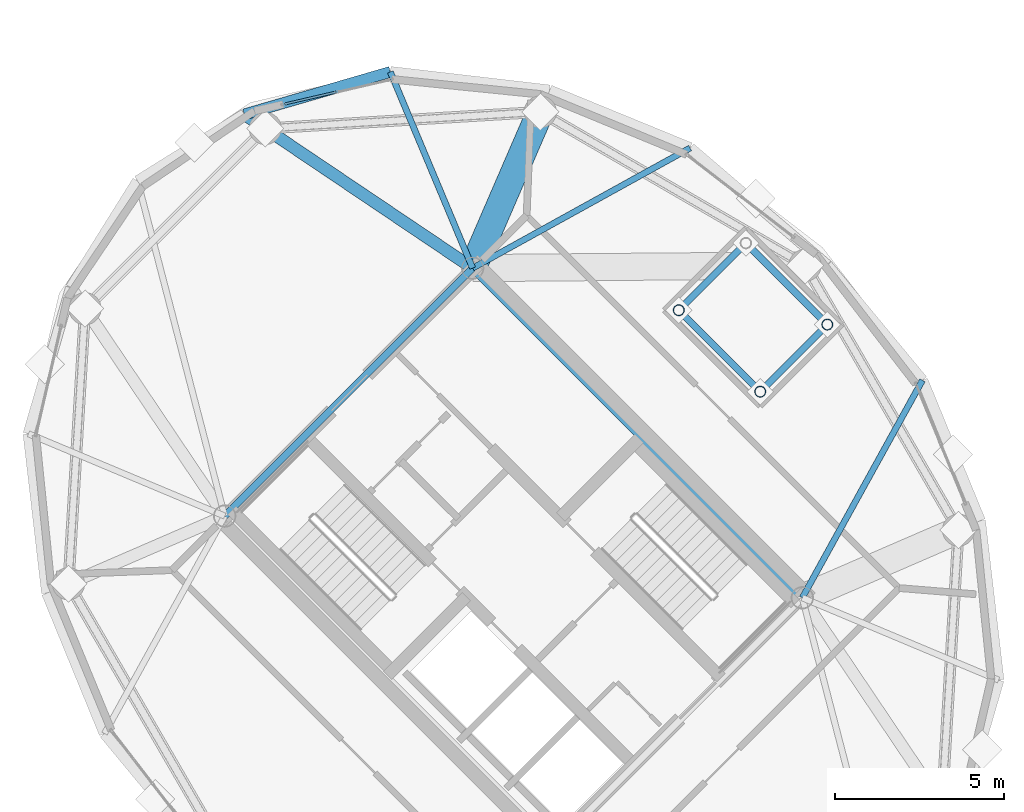
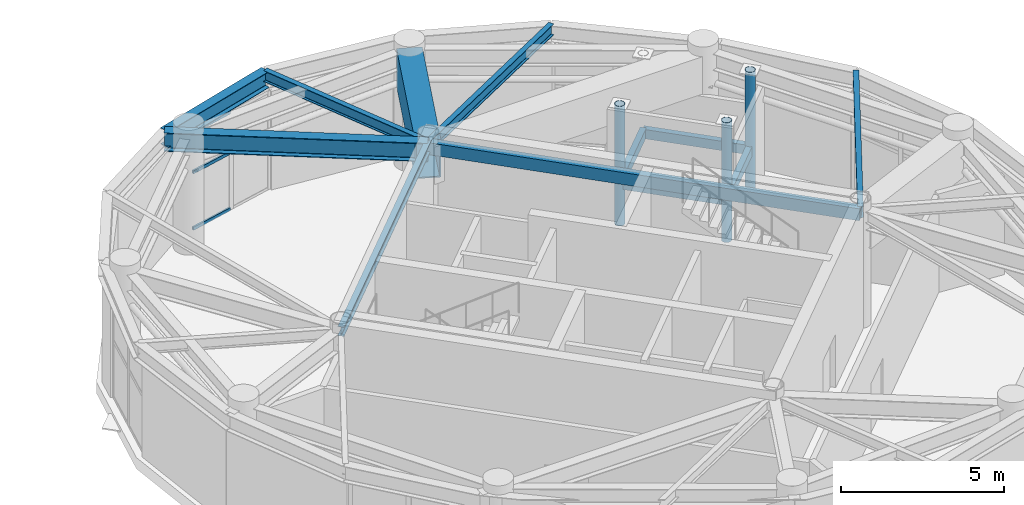
# One storey, part 16 of 28: 12 beams, 6 members, 1 element without a shape of its own.
"""IFC4 building model written with IfcOpenShell, lengths in metres."""

from ifc_helpers import new_model, si_unit, direction, frame, origin, origin_2d, place, context, subcontext, project, spatial, hollow_rectangle, hollow_circle, i_section, extrude, material, layer, layer_set, material_profile, profile_set, type_object, element, aggregate, save


model = new_model("IFC4")

# Units and contexts
model_context = context("Model", 3, precision=1e-05, world=origin(), true_north=direction((0.0, 1.0)))
body_context = subcontext(model_context, "Body", "Model", "MODEL_VIEW")
ifc_project = project(units=[si_unit("LENGTHUNIT", "METRE"), si_unit("AREAUNIT", "SQUARE_METRE"), si_unit("VOLUMEUNIT", "CUBIC_METRE"), si_unit("PLANEANGLEUNIT", "RADIAN"), si_unit("MASSUNIT", "GRAM", prefix="KILO")], contexts=[model_context])

# Site, building, storey
site_placement = place(None, origin())
site = spatial("IfcSite", under=ifc_project, at=site_placement, CompositionType="ELEMENT")
building_placement = place(site_placement, origin())
building = spatial("IfcBuilding", under=site, at=building_placement, Name="Cununo Teusaquillo Station Towers", CompositionType="ELEMENT")
storey_placement = place(building_placement, frame((0.0, 0.0, 235.64990234375)))
storey = spatial("IfcBuildingStorey", under=building, at=storey_placement, Name="L75", CompositionType="ELEMENT", Elevation=235.64990234375)

# Beams
ifc_material_1 = material(Name="Steel EN 10025-2 S355J2", Category="steel")
ifc_material_profile_1 = material_profile(ifc_material_1, hollow_rectangle(XDim=0.25, YDim=0.449951171875, WallThickness=0.01611328125, at=origin_2d()), Name="RHS 450x250x16")
ifc_profile_set_1 = profile_set([ifc_material_profile_1], Name="Steel EN 10025-2 S355J2")
beam_type_1 = type_object("IfcBeamType", Name="BM-COUP-1", PredefinedType="USERDEFINED", material=ifc_profile_set_1)
beam_1_placement = place(storey_placement, frame((66.024169921875, 23.29443359375, 4.114990234375), z_axis=(-0.707106781187, 0.707106781187, 0.0), x_axis=(-0.707106781187, -0.707106781187, 0.0)))
element("IfcBeam", 1, at=beam_1_placement, inside=storey, type_object=beam_type_1, Name="L75 Tower B Core Beam 2", ObjectType="COUPLING BEAM", PredefinedType="USERDEFINED", context=body_context, shape_type="SweptSolid", body=[
    extrude(hollow_rectangle(XDim=0.25, YDim=0.449951171875, WallThickness=0.01611328125, at=origin_2d()), origin(), (0.0, 0.0, 1.0), 13.760009765625),
])
ifc_material_2 = material(Name="Steel ASTM A572 Grade 50", Category="steel")
ifc_material_profile_2 = material_profile(ifc_material_2, i_section(OverallWidth=0.180908203125, OverallDepth=0.4169921875, WebThickness=0.010986328125, FlangeThickness=0.018310546875, FilletRadius=0.012939453125, at=origin_2d()), Name="W16X57")
ifc_profile_set_2 = profile_set([ifc_material_profile_2], Name="Steel ASTM A572 Grade 50")
beam_type_2 = type_object("IfcBeamType", Name="BM-JOIST-1", PredefinedType="JOIST", material=ifc_profile_set_2)
beam_2_placement = place(storey_placement, frame((56.29443359375, 33.024169921875, 4.131591796875), z_axis=(0.8753153358, 0.483552544108, 0.0), x_axis=(-0.483552544108, 0.8753153358, 0.0)))
element("IfcBeam", 2, at=beam_2_placement, inside=storey, type_object=beam_type_2, Name="L75 Tower B Radial Spandrel Joist V01", PredefinedType="JOIST", context=body_context, shape_type="SweptSolid", body=[
    extrude(i_section(OverallWidth=0.180908203125, OverallDepth=0.4169921875, WebThickness=0.010986328125, FlangeThickness=0.018310546875, FilletRadius=0.012939453125, at=origin_2d()), origin(), (0.0, 0.0, 1.0), 7.3330078125),
])
beam_3_placement = place(storey_placement, frame((56.29443359375, 33.024169921875, 4.131591796875), z_axis=(-0.386786389381, 0.922169338565, 0.0), x_axis=(-0.922169338565, -0.386786389381, 0.0)))
element("IfcBeam", 3, at=beam_3_placement, inside=storey, type_object=beam_type_2, Name="L75 Tower B Radial Spandrel Joist V03", PredefinedType="JOIST", context=body_context, shape_type="SweptSolid", body=[
    extrude(i_section(OverallWidth=0.180908203125, OverallDepth=0.4169921875, WebThickness=0.010986328125, FlangeThickness=0.018310546875, FilletRadius=0.012939453125, at=origin_2d()), origin(), (0.0, 0.0, 1.0), 6.281005859375),
])
beam_4_placement = place(storey_placement, frame((66.024169921875, 23.29443359375, 4.131591796875), z_axis=(0.483552544108, 0.8753153358, 0.0), x_axis=(-0.8753153358, 0.483552544108, 0.0)))
element("IfcBeam", 4, at=beam_4_placement, inside=storey, type_object=beam_type_2, Name="L75 Tower B Radial Spandrel Joist V19", PredefinedType="JOIST", context=body_context, shape_type="SweptSolid", body=[
    extrude(i_section(OverallWidth=0.180908203125, OverallDepth=0.4169921875, WebThickness=0.010986328125, FlangeThickness=0.018310546875, FilletRadius=0.012939453125, at=origin_2d()), origin(), (0.0, 0.0, 1.0), 7.3330078125),
])
ifc_material_3 = material(Name="Steel ASTM A572 Grade 50", Category="steel")
ifc_material_profile_3 = material_profile(ifc_material_3, i_section(OverallWidth=0.2041015625, OverallDepth=0.35009765625, WebThickness=0.008544921875, FlangeThickness=0.01513671875, FilletRadius=0.011962890625, at=origin_2d()), Name="W14X48")
ifc_profile_set_3 = profile_set([ifc_material_profile_3], Name="Steel ASTM A572 Grade 50")
beam_type_3 = type_object("IfcBeamType", Name="BM-LINTEL-1", PredefinedType="LINTEL", material=ifc_profile_set_3)
beam_5_placement = place(storey_placement, frame((48.975830078125, 25.70556640625, 4.1650390625), z_axis=(0.707106781187, 0.707106781187, 0.0), x_axis=(-0.707106781187, 0.707106781187, 0.0)))
element("IfcBeam", 5, at=beam_5_placement, inside=storey, type_object=beam_type_3, Name="L75 Tower B Core Beam 4", PredefinedType="LINTEL", context=body_context, shape_type="SweptSolid", body=[
    extrude(i_section(OverallWidth=0.2041015625, OverallDepth=0.35009765625, WebThickness=0.008544921875, FlangeThickness=0.01513671875, FilletRadius=0.011962890625, at=origin_2d()), origin(), (0.0, 0.0, 1.0), 10.35009765625),
])
ifc_material_4 = material(Name="Steel ASTM A572 Grade 50", Category="steel")
ifc_material_profile_4 = material_profile(ifc_material_4, i_section(OverallWidth=0.35498046875, OverallDepth=0.696044921875, WebThickness=0.015380859375, FlangeThickness=0.02490234375, FilletRadius=0.01806640625, at=origin_2d()), Name="W27X146")
ifc_profile_set_4 = profile_set([ifc_material_profile_4], Name="Steel ASTM A572 Grade 50")
beam_type_4 = type_object("IfcBeamType", Name="BM-PLNT-G1", PredefinedType="BEAM", material=ifc_profile_set_4)
beam_6_placement = place(storey_placement, frame((56.29443359375, 33.024169921875, 3.9921875), z_axis=(-0.829456817529, 0.558570844079, 0.0), x_axis=(-0.558570844079, -0.829456817529, 0.0)))
element("IfcBeam", 6, at=beam_6_placement, inside=storey, type_object=beam_type_4, Name="L75 Tower B Continuous Overhanging Radial Girder 03", PredefinedType="BEAM", context=body_context, shape_type="SweptSolid", body=[
    extrude(i_section(OverallWidth=0.35498046875, OverallDepth=0.696044921875, WebThickness=0.015380859375, FlangeThickness=0.02490234375, FilletRadius=0.01806640625, at=origin_2d()), origin(), (0.0, 0.0, 1.0), 8.1240234375),
])
ifc_material_5 = material(Name="Steel ASTM A572 Grade 50", Category="steel")
ifc_material_profile_5 = material_profile(ifc_material_5, i_section(OverallWidth=0.324951171875, OverallDepth=0.615966796875, WebThickness=0.013916015625, FlangeThickness=0.021484375, FilletRadius=0.01611328125, at=origin_2d()), Name="W24X117")
ifc_profile_set_5 = profile_set([ifc_material_profile_5], Name="Steel ASTM A572 Grade 50")
beam_type_5 = type_object("IfcBeamType", Name="BM-PLNT-G2", PredefinedType="BEAM", material=ifc_profile_set_5)
beam_7_placement = place(storey_placement, frame((53.864990234375, 38.81640625, 4.031982421875), z_axis=(-0.96014487762, -0.279502797802, 0.0), x_axis=(0.279502797802, -0.96014487762, 0.0)))
element("IfcBeam", 7, at=beam_7_placement, inside=storey, type_object=beam_type_5, Name="L75 Tower B Spandrel Ring Beam 04", PredefinedType="BEAM", context=body_context, shape_type="SweptSolid", body=[
    extrude(i_section(OverallWidth=0.324951171875, OverallDepth=0.615966796875, WebThickness=0.013916015625, FlangeThickness=0.021484375, FilletRadius=0.01611328125, at=origin_2d()), origin(), (0.0, 0.0, 1.0), 4.488037109375),
])
ifc_material_6 = material(Name="Steel EN 10025-2 S355J2", Category="steel")
ifc_material_profile_6 = material_profile(ifc_material_6, hollow_rectangle(XDim=0.199951171875, YDim=0.35009765625, WallThickness=0.013916015625, at=origin_2d()), Name="RHS 350x200x14")
ifc_profile_set_6 = profile_set([ifc_material_profile_6], Name="Steel EN 10025-2 S355J2")
beam_type_6 = type_object("IfcBeamType", Name="BM-TMD-FRM", PredefinedType="BEAM", material=ifc_profile_set_6)
beam_8_placement = place(storey_placement, frame((64.783203125, 29.37890625, 1.375), z_axis=(0.707106781187, 0.707106781187, 0.0), x_axis=(-0.707106781187, 0.707106781187, 0.0)))
element("IfcBeam", 8, at=beam_8_placement, inside=storey, type_object=beam_type_6, Name="L75 Tower B Tuned Mass Damper Suspension Ring Beam 1", PredefinedType="BEAM", context=body_context, shape_type="SweptSolid", body=[
    extrude(hollow_rectangle(XDim=0.199951171875, YDim=0.35009765625, WallThickness=0.013916015625, at=origin_2d()), origin(), (0.0, 0.0, 1.0), 2.800048828125),
])
beam_9_placement = place(storey_placement, frame((66.76318359375, 31.35888671875, 1.375), z_axis=(-0.707106781187, 0.707106781187, 0.0), x_axis=(-0.707106781187, -0.707106781187, 0.0)))
element("IfcBeam", 9, at=beam_9_placement, inside=storey, type_object=beam_type_6, Name="L75 Tower B Tuned Mass Damper Suspension Ring Beam 2", PredefinedType="BEAM", context=body_context, shape_type="SweptSolid", body=[
    extrude(hollow_rectangle(XDim=0.199951171875, YDim=0.35009765625, WallThickness=0.013916015625, at=origin_2d()), origin(), (0.0, 0.0, 1.0), 3.400146484375),
])
beam_10_placement = place(storey_placement, frame((64.35888671875, 33.76318359375, 1.375), z_axis=(-0.707106781187, -0.707106781187, 0.0), x_axis=(0.707106781187, -0.707106781187, 0.0)))
element("IfcBeam", 10, at=beam_10_placement, inside=storey, type_object=beam_type_6, Name="L75 Tower B Tuned Mass Damper Suspension Ring Beam 3", PredefinedType="BEAM", context=body_context, shape_type="SweptSolid", body=[
    extrude(hollow_rectangle(XDim=0.199951171875, YDim=0.35009765625, WallThickness=0.013916015625, at=origin_2d()), origin(), (0.0, 0.0, 1.0), 2.800048828125),
])
beam_11_placement = place(storey_placement, frame((62.37890625, 31.783203125, 1.375), z_axis=(0.707106781187, -0.707106781187, 0.0), x_axis=(0.707106781187, 0.707106781187, 0.0)))
element("IfcBeam", 11, at=beam_11_placement, inside=storey, type_object=beam_type_6, Name="L75 Tower B Tuned Mass Damper Suspension Ring Beam 4", PredefinedType="BEAM", context=body_context, shape_type="SweptSolid", body=[
    extrude(hollow_rectangle(XDim=0.199951171875, YDim=0.35009765625, WallThickness=0.013916015625, at=origin_2d()), origin(), (0.0, 0.0, 1.0), 3.400146484375),
])
ifc_material_7 = material(Name="Steel ASTM A572 Grade 50", Category="steel")
ifc_material_profile_7 = material_profile(ifc_material_7, hollow_rectangle(XDim=0.800048828125, YDim=1.39990234375, WallThickness=0.044921875, at=origin_2d()), Name="BOX 1400x800x45")
ifc_profile_set_7 = profile_set([ifc_material_profile_7], Name="Steel ASTM A572 Grade 50")
beam_type_7 = type_object("IfcBeamType", Name="BM-XFER-SEC", PredefinedType="USERDEFINED", material=ifc_profile_set_7)
beam_12_placement = place(storey_placement, frame((56.29443359375, 33.024169921875, 3.6201171875), z_axis=(0.397346986387, 0.917668443616, 0.0), x_axis=(-0.917668443616, 0.397346986387, 0.0)))
element("IfcBeam", 12, at=beam_12_placement, inside=storey, type_object=beam_type_7, Name="L75 Tower B TMD Overhead Suspension Girder 1", ObjectType="TRANSFER GIRDER", PredefinedType="USERDEFINED", context=body_context, shape_type="SweptSolid", body=[
    extrude(hollow_rectangle(XDim=0.800048828125, YDim=1.39990234375, WallThickness=0.044921875, at=origin_2d()), origin(), (0.0, 0.0, 1.0), 5.02490234375),
])

# Curtain wall, members
ifc_material_8 = material(Name="Ceramic-fritted dark low-E double glazing", Category="glass")
ifc_layer = layer(ifc_material_8, 0.179931640625)
ifc_layer_set = layer_set([ifc_layer], Name="Ceramic-fritted dark low-E double glazing")
curtain_wall_type = type_object("IfcCurtainWallType", Name="CW-SYS-08", PredefinedType="USERDEFINED", material=ifc_layer_set)
curtain_wall_placement = place(storey_placement, origin())
curtain_wall = element("IfcCurtainWall", 13, at=curtain_wall_placement, inside=storey, type_object=curtain_wall_type, Name="L75 Tower B Crown Drum Glazed Screen C03", ObjectType="FRITTED GLAZING", PredefinedType="USERDEFINED")
ifc_material_9 = material(Name="Anodised dark bronze aluminium EN AW-6063-T6", Category="aluminium")
ifc_material_profile_8 = material_profile(ifc_material_9, hollow_rectangle(XDim=0.06494140625, YDim=0.1201171875, WallThickness=0.00390625, at=origin_2d()), Name="CW-TRAN-65x120")
ifc_profile_set_8 = profile_set([ifc_material_profile_8], Name="Anodised dark bronze aluminium EN AW-6063-T6")
member_type_1 = type_object("IfcMemberType", Name="CWT-120", PredefinedType="USERDEFINED", material=ifc_profile_set_8)
member_1_placement = place(storey_placement, frame((50.74755859375, 37.86962890625, 0.03271484375), z_axis=(0.974247893937, 0.225479580359, 0.0), x_axis=(-0.225479580359, 0.974247893937, 0.0)))
member_1 = element("IfcMember", 14, at=member_1_placement, type_object=member_type_1, Name="CW-08 transom 1.1", ObjectType="TRANSOM", PredefinedType="USERDEFINED", context=body_context, shape_type="SweptSolid", body=[
    extrude(hollow_rectangle(XDim=0.06494140625, YDim=0.1201171875, WallThickness=0.00390625, at=origin_2d()), origin(), (0.0, 0.0, 1.0), 1.552734375),
])
member_2_placement = place(storey_placement, frame((50.74755859375, 37.86962890625, 2.150146484375), z_axis=(0.974247893937, 0.225479580359, 0.0), x_axis=(-0.225479580359, 0.974247893937, 0.0)))
member_2 = element("IfcMember", 15, at=member_2_placement, type_object=member_type_1, Name="CW-08 transom 1.2", ObjectType="TRANSOM", PredefinedType="USERDEFINED", context=body_context, shape_type="SweptSolid", body=[
    extrude(hollow_rectangle(XDim=0.06494140625, YDim=0.1201171875, WallThickness=0.00390625, at=origin_2d()), origin(), (0.0, 0.0, 1.0), 1.552734375),
])
member_3_placement = place(storey_placement, frame((50.74755859375, 37.86962890625, 3.66357421875), z_axis=(0.974247893937, 0.225479580359, 0.0), x_axis=(-0.225479580359, 0.974247893937, 0.0)))
member_3 = element("IfcMember", 16, at=member_3_placement, type_object=member_type_1, Name="CW-08 transom 1.3", ObjectType="TRANSOM", PredefinedType="USERDEFINED", context=body_context, shape_type="SweptSolid", body=[
    extrude(hollow_rectangle(XDim=0.06494140625, YDim=0.1201171875, WallThickness=0.00390625, at=origin_2d()), origin(), (0.0, 0.0, 1.0), 1.552734375),
])
aggregate(curtain_wall, [member_1, member_2, member_3])

# Members
ifc_material_10 = material(Name="Steel EN 10025-2 S355J2", Category="steel")
ifc_material_profile_9 = material_profile(ifc_material_10, hollow_circle(Radius=0.162109375, WallThickness=0.011962890625, at=origin_2d()), Name="CHS 324x12")
ifc_profile_set_9 = profile_set([ifc_material_profile_9], Name="Steel EN 10025-2 S355J2")
member_type_2 = type_object("IfcMemberType", Name="MBR-TMD-POST", PredefinedType="POST", material=ifc_profile_set_9)
for number, where, z_axis, x_axis, name in (
    (17, (64.783203125, 29.37890625, -0.14990234375), (0.0, 0.0, 1.0), (1.0, 0.0, 0.0), "L75 Tower B Tuned Mass Damper Frame Post 1"),
    (18, (66.76318359375, 31.35888671875, -0.14990234375), (0.0, 0.0, 1.0), (1.0, 0.0, 0.0), "L75 Tower B Tuned Mass Damper Frame Post 2"),
    (19, (62.37890625, 31.783203125, -0.14990234375), (0.0, 0.0, 1.0), (1.0, 0.0, 0.0), "L75 Tower B Tuned Mass Damper Frame Post 4"),
):
    element("IfcMember", number, at=place(storey_placement, frame(where, z_axis=z_axis, x_axis=x_axis)), inside=storey, type_object=member_type_2, Name=name, PredefinedType="POST", context=body_context, shape_type="SweptSolid", body=[
        extrude(hollow_circle(Radius=0.162109375, WallThickness=0.011962890625, at=origin_2d()), origin(), (0.0, 0.0, 1.0), 4.489990234375),
    ])

save(model, "model.ifc")
